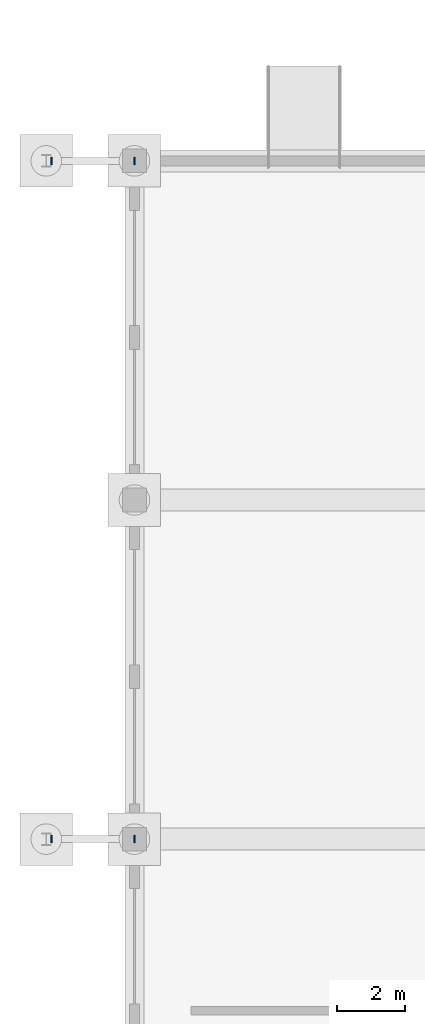
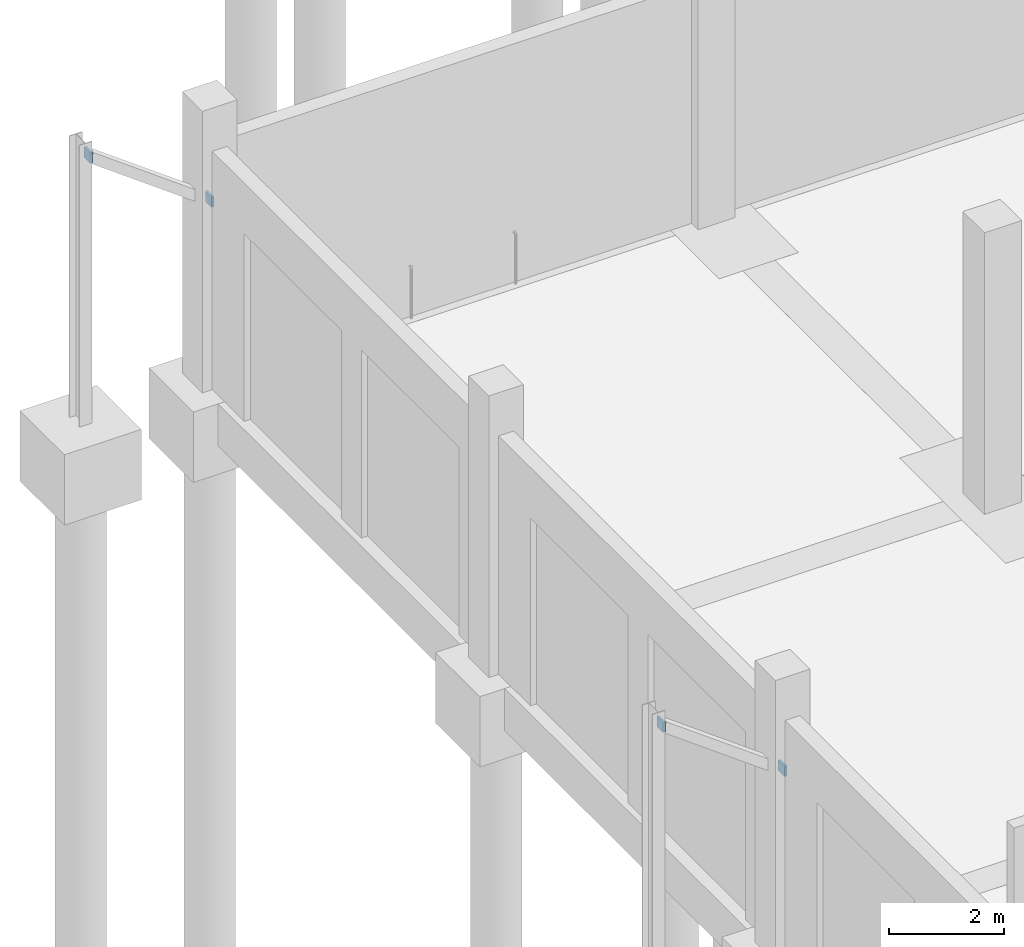
# One storey, part 76 of 140: 4 plates.
"""IFC4 building model written with IfcOpenShell, lengths in metres."""

from ifc_helpers import new_model, si_unit, direction, frame, origin, origin_2d, place, context, subcontext, project, spatial, rectangle, extrude, material, layer, layer_set, type_object, element, save


model = new_model("IFC4")

# Units and contexts
model_context = context("Model", 3, precision=1e-05, world=origin(), true_north=direction((0.0, 1.0)))
body_context = subcontext(model_context, "Body", "Model", "MODEL_VIEW")
ifc_project = project(units=[si_unit("LENGTHUNIT", "METRE"), si_unit("AREAUNIT", "SQUARE_METRE"), si_unit("VOLUMEUNIT", "CUBIC_METRE"), si_unit("PLANEANGLEUNIT", "RADIAN"), si_unit("MASSUNIT", "GRAM", prefix="KILO")], contexts=[model_context])

# Site, building, storey
site_placement = place(None, origin())
site = spatial("IfcSite", under=ifc_project, at=site_placement, CompositionType="ELEMENT")
building_placement = place(site_placement, origin())
building = spatial("IfcBuilding", under=site, at=building_placement, Name="Corvandel Quay Wholesale Market", CompositionType="ELEMENT")
storey_placement = place(building_placement, origin())
storey = spatial("IfcBuildingStorey", under=building, at=storey_placement, Name="L00", CompositionType="ELEMENT", Elevation=0.0)

# Plates
ifc_material = material(Name="Steel A572 Grade 50", Category="steel")
ifc_layer = layer(ifc_material, 0.044921875)
ifc_layer_set = layer_set([ifc_layer], Name="Steel A572 Grade 50")
plate_type = type_object("IfcPlateType", Name="Steel Brace End Cap Plate PLT02 45mm", PredefinedType="SHEET", material=ifc_layer_set)
for number, where, z_axis, x_axis, name in (
    (1, (-0.001708984375, 90.0, 3.69140625), (0.0, 0.0, 1.0), (0.0, 1.0, 0.0), "HSS Cap Plate PLT-0119"),
    (2, (-2.448486328125, 90.0, 5.48876953125), (0.0, 0.0, 1.0), (0.0, 1.0, 0.0), "HSS Cap Plate PLT-0120"),
    (3, (-0.001708984375, 110.0, 3.69140625), (0.0, 0.0, 1.0), (0.0, 1.0, 0.0), "HSS Cap Plate PLT-0121"),
    (4, (-2.448486328125, 110.0, 5.48876953125), (0.0, 0.0, 1.0), (0.0, 1.0, 0.0), "HSS Cap Plate PLT-0122"),
):
    element("IfcPlate", number, at=place(storey_placement, frame(where, z_axis=z_axis, x_axis=x_axis)), inside=storey, type_object=plate_type, Name=name, PredefinedType="SHEET", context=body_context, shape_type="SweptSolid", body=[
        extrude(rectangle(XDim=0.219970703125, YDim=0.044921875, at=origin_2d()), origin(), (0.0, 0.0, 1.0), 0.219970703125),
    ])

save(model, "model.ifc")
